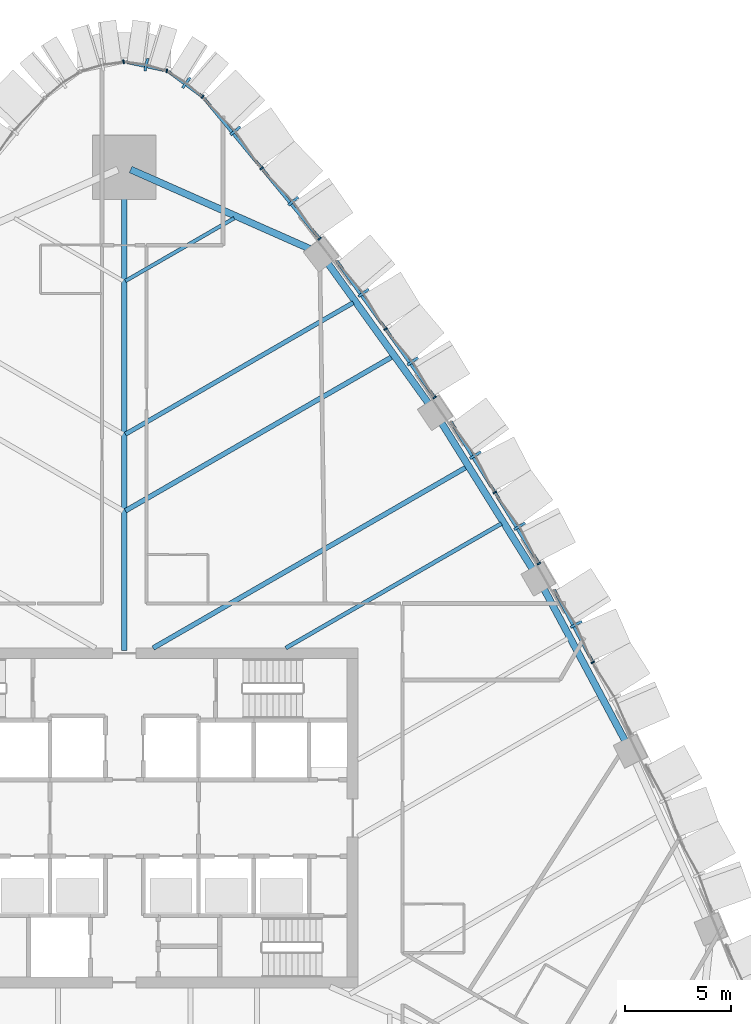
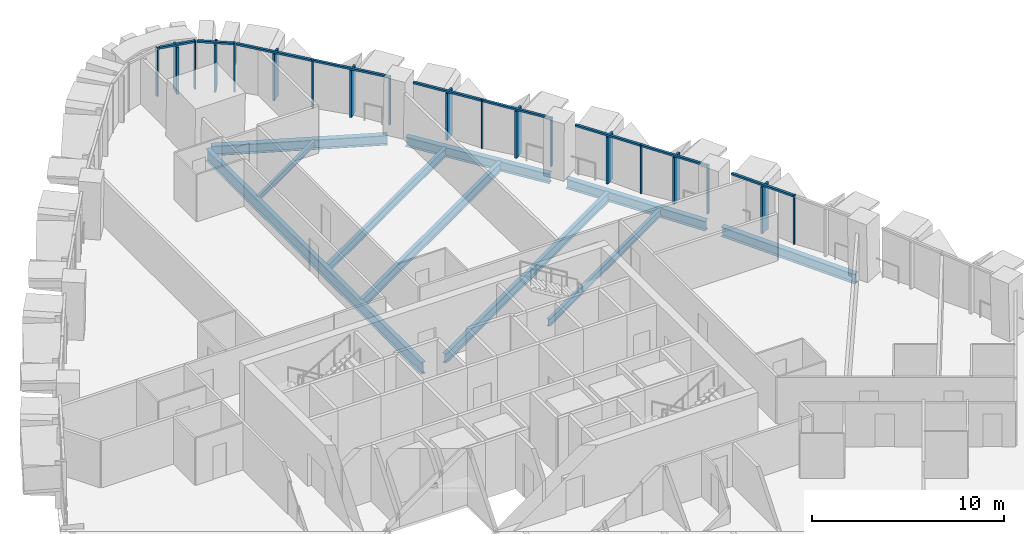
# One storey, part 7 of 23: 28 members, 10 beams, 7 elements without a shape of their own.
"""IFC4 building model written with IfcOpenShell, lengths in metres."""

from ifc_helpers import new_model, si_unit, direction, frame, origin, origin_2d, place, context, subcontext, project, spatial, rectangle, i_section, extrude, material, layer, layer_set, material_profile, profile_set, type_object, element, aggregate, save


model = new_model("IFC4")

# Units and contexts
model_context = context("Model", 3, precision=1e-05, world=origin(), true_north=direction((0.0, 1.0)))
body_context = subcontext(model_context, "Body", "Model", "MODEL_VIEW")
ifc_project = project(units=[si_unit("LENGTHUNIT", "METRE"), si_unit("AREAUNIT", "SQUARE_METRE"), si_unit("VOLUMEUNIT", "CUBIC_METRE"), si_unit("PLANEANGLEUNIT", "RADIAN"), si_unit("MASSUNIT", "GRAM", prefix="KILO")], contexts=[model_context])

# Site, building, storey
site_placement = place(None, origin())
site = spatial("IfcSite", under=ifc_project, at=site_placement, CompositionType="ELEMENT")
building_placement = place(site_placement, origin())
building = spatial("IfcBuilding", under=site, at=building_placement, Name="Sierra Prisma Convention Tower", CompositionType="ELEMENT")
storey_placement = place(building_placement, frame((0.0, 0.0, 70.199951171875)))
storey = spatial("IfcBuildingStorey", under=building, at=storey_placement, Name="L13", CompositionType="ELEMENT", Elevation=70.199951171875)

# Curtain wall, member
ifc_material_1 = material(Name="Aluminium and glass curtain wall", Category="aluminium")
ifc_layer = layer(ifc_material_1, 0.179931640625)
ifc_layer_set = layer_set([ifc_layer], Name="CW-2 Faceted crystal curtain wall")
curtain_wall_type = type_object("IfcCurtainWallType", Name="CW-2 Faceted crystal curtain wall", PredefinedType="NOTDEFINED", material=ifc_layer_set)
curtain_wall_1_placement = place(storey_placement, origin())
curtain_wall_1 = element("IfcCurtainWall", 1, at=curtain_wall_1_placement, inside=storey, type_object=curtain_wall_type, Name="CW-2 NE3 L13", PredefinedType="NOTDEFINED")
ifc_material_2 = material(Name="Aluminium 6063-T6 bronze anodised", Category="aluminium")
ifc_material_profile_1 = material_profile(ifc_material_2, rectangle(XDim=0.1201171875, YDim=0.60009765625, at=origin_2d()), Name="ALU RIDGE BLADE 120x600")
ifc_profile_set_1 = profile_set([ifc_material_profile_1], Name="Aluminium 6063-T6 bronze anodised")
member_type_1 = type_object("IfcMemberType", Name="CW hip bronze", PredefinedType="MULLION", material=ifc_profile_set_1)
member_1_placement = place(storey_placement, frame((21.285888671875, 9.114990234375, 0.0), z_axis=(0.0, 0.0, 1.0), x_axis=(-0.469903654338, 0.882717710052, 0.0)))
member_1 = element("IfcMember", 2, at=member_1_placement, type_object=member_type_1, Name="CW-2 ridge NE3.2", PredefinedType="MULLION", context=body_context, shape_type="SweptSolid", body=[
    extrude(rectangle(XDim=0.1201171875, YDim=0.60009765625, at=origin_2d()), origin(), (0.0, 0.0, 1.0), 2.97998046875),
])

# Curtain wall, members
curtain_wall_2_placement = place(storey_placement, origin())
curtain_wall_2 = element("IfcCurtainWall", 3, at=curtain_wall_2_placement, inside=storey, type_object=curtain_wall_type, Name="CW-2 NE4 L13", PredefinedType="NOTDEFINED")
member_2_placement = place(storey_placement, frame((18.6201171875, 13.737060546875, 0.0), z_axis=(0.0, 0.0, 1.0), x_axis=(-0.527544214712, 0.849527575494, 0.0)))
member_2 = element("IfcMember", 4, at=member_2_placement, type_object=member_type_1, Name="CW-2 ridge NE4.1", PredefinedType="MULLION", context=body_context, shape_type="SweptSolid", body=[
    extrude(rectangle(XDim=0.1201171875, YDim=0.60009765625, at=origin_2d()), origin(), (0.0, 0.0, 1.0), 2.97998046875),
])
member_3_placement = place(storey_placement, frame((16.540771484375, 17.085693359375, 0.0), z_axis=(0.0, 0.0, 1.0), x_axis=(-0.527544214712, 0.849527575494, 0.0)))
member_3 = element("IfcMember", 5, at=member_3_placement, type_object=member_type_1, Name="CW-2 ridge NE4.2", PredefinedType="MULLION", context=body_context, shape_type="SweptSolid", body=[
    extrude(rectangle(XDim=0.1201171875, YDim=0.60009765625, at=origin_2d()), origin(), (0.0, 0.0, 1.0), 2.97998046875),
])

curtain_wall_3_placement = place(storey_placement, origin())
curtain_wall_3 = element("IfcCurtainWall", 6, at=curtain_wall_3_placement, inside=storey, type_object=curtain_wall_type, Name="CW-2 NE5 L13", PredefinedType="NOTDEFINED")
member_4_placement = place(storey_placement, frame((13.585205078125, 21.505615234375, 0.0), z_axis=(0.0, 0.0, 1.0), x_axis=(-0.582850909334, 0.812579114603, 0.0)))
member_4 = element("IfcMember", 7, at=member_4_placement, type_object=member_type_1, Name="CW-2 ridge NE5.1", PredefinedType="MULLION", context=body_context, shape_type="SweptSolid", body=[
    extrude(rectangle(XDim=0.1201171875, YDim=0.60009765625, at=origin_2d()), origin(), (0.0, 0.0, 1.0), 2.97998046875),
])
member_5_placement = place(storey_placement, frame((11.27197265625, 24.730712890625, 0.0), z_axis=(0.0, 0.0, 1.0), x_axis=(-0.582850909334, 0.812579114603, 0.0)))
member_5 = element("IfcMember", 8, at=member_5_placement, type_object=member_type_1, Name="CW-2 ridge NE5.2", PredefinedType="MULLION", context=body_context, shape_type="SweptSolid", body=[
    extrude(rectangle(XDim=0.1201171875, YDim=0.60009765625, at=origin_2d()), origin(), (0.0, 0.0, 1.0), 2.97998046875),
])

curtain_wall_4_placement = place(storey_placement, origin())
curtain_wall_4 = element("IfcCurtainWall", 9, at=curtain_wall_4_placement, inside=storey, type_object=curtain_wall_type, Name="CW-2 NE6 L13", PredefinedType="NOTDEFINED")
member_6_placement = place(storey_placement, frame((7.960205078125, 29.048095703125, 0.0), z_axis=(0.0, 0.0, 1.0), x_axis=(-0.63557906031, 0.772035788092, 0.0)))
member_6 = element("IfcMember", 10, at=member_6_placement, type_object=member_type_1, Name="CW-2 ridge NE6.1", PredefinedType="MULLION", context=body_context, shape_type="SweptSolid", body=[
    extrude(rectangle(XDim=0.1201171875, YDim=0.60009765625, at=origin_2d()), origin(), (0.0, 0.0, 1.0), 2.97998046875),
])
member_7_placement = place(storey_placement, frame((5.23046875, 32.364013671875, 0.0), z_axis=(0.0, 0.0, 1.0), x_axis=(-0.63557906031, 0.772035788092, 0.0)))
member_7 = element("IfcMember", 11, at=member_7_placement, type_object=member_type_1, Name="CW-2 ridge NE6.2", PredefinedType="MULLION", context=body_context, shape_type="SweptSolid", body=[
    extrude(rectangle(XDim=0.1201171875, YDim=0.60009765625, at=origin_2d()), origin(), (0.0, 0.0, 1.0), 2.97998046875),
])

# Curtain wall, member
curtain_wall_5_placement = place(storey_placement, origin())
curtain_wall_5 = element("IfcCurtainWall", 12, at=curtain_wall_5_placement, inside=storey, type_object=curtain_wall_type, Name="CW-2 N1 L13", PredefinedType="NOTDEFINED")
member_8_placement = place(storey_placement, frame((2.922119140625, 34.624755859375, 0.0), z_axis=(0.0, 0.0, 1.0), x_axis=(-0.804132634463, 0.594449918994, 0.0)))
member_8 = element("IfcMember", 13, at=member_8_placement, type_object=member_type_1, Name="CW-2 ridge N1.1", PredefinedType="MULLION", context=body_context, shape_type="SweptSolid", body=[
    extrude(rectangle(XDim=0.1201171875, YDim=0.60009765625, at=origin_2d()), origin(), (0.0, 0.0, 1.0), 2.97998046875),
])

curtain_wall_6_placement = place(storey_placement, origin())
curtain_wall_6 = element("IfcCurtainWall", 14, at=curtain_wall_6_placement, inside=storey, type_object=curtain_wall_type, Name="CW-2 N2 L13", PredefinedType="NOTDEFINED")
member_9_placement = place(storey_placement, frame((1.03515625, 35.477294921875, 0.0), z_axis=(0.0, 0.0, 1.0), x_axis=(-0.977571241684, 0.210605003343, 0.0)))
member_9 = element("IfcMember", 15, at=member_9_placement, type_object=member_type_1, Name="CW-2 ridge N2.1", PredefinedType="MULLION", context=body_context, shape_type="SweptSolid", body=[
    extrude(rectangle(XDim=0.1201171875, YDim=0.60009765625, at=origin_2d()), origin(), (0.0, 0.0, 1.0), 2.97998046875),
])

# Member
ifc_material_3 = material(Name="Aluminium 6063-T6 bronze anodised", Category="aluminium")
ifc_material_profile_2 = material_profile(ifc_material_3, rectangle(XDim=0.179931640625, YDim=0.070068359375, at=origin_2d()), Name="ALU MULLION 70x180")
ifc_profile_set_2 = profile_set([ifc_material_profile_2], Name="Aluminium 6063-T6 bronze anodised")
member_type_2 = type_object("IfcMemberType", Name="CW mullion bronze", PredefinedType="MULLION", material=ifc_profile_set_2)
member_10_placement = place(storey_placement, frame((22.068603515625, 7.32373046875, 0.0), z_axis=(0.0, 0.0, 1.0), x_axis=(-0.882717710052, -0.469903654338, 0.0)))
member_10 = element("IfcMember", 16, at=member_10_placement, type_object=member_type_2, Name="CW-1 mullion NE3.2", PredefinedType="MULLION", context=body_context, shape_type="SweptSolid", body=[
    extrude(rectangle(XDim=0.179931640625, YDim=0.070068359375, at=origin_2d()), origin(), (0.0, 0.0, 1.0), 3.10009765625),
])

member_11_placement = place(storey_placement, frame((19.530517578125, 11.982421875, 0.0), z_axis=(0.0, 0.0, 1.0), x_axis=(-0.849527575494, -0.527544214712, 0.0)))
member_11 = element("IfcMember", 17, at=member_11_placement, type_object=member_type_2, Name="CW-1 mullion NE4.1", PredefinedType="MULLION", context=body_context, shape_type="SweptSolid", body=[
    extrude(rectangle(XDim=0.179931640625, YDim=0.070068359375, at=origin_2d()), origin(), (0.0, 0.0, 1.0), 3.10009765625),
])

member_12_placement = place(storey_placement, frame((17.450927734375, 15.3310546875, 0.0), z_axis=(0.0, 0.0, 1.0), x_axis=(-0.849527575494, -0.527544214712, 0.0)))
member_12 = element("IfcMember", 18, at=member_12_placement, type_object=member_type_2, Name="CW-1 mullion NE4.2", PredefinedType="MULLION", context=body_context, shape_type="SweptSolid", body=[
    extrude(rectangle(XDim=0.179931640625, YDim=0.070068359375, at=origin_2d()), origin(), (0.0, 0.0, 1.0), 3.10009765625),
])

member_13_placement = place(storey_placement, frame((14.6171875, 19.8037109375, 0.0), z_axis=(0.0, 0.0, 1.0), x_axis=(-0.812579114603, -0.582850909334, 0.0)))
member_13 = element("IfcMember", 19, at=member_13_placement, type_object=member_type_2, Name="CW-1 mullion NE5.1", PredefinedType="MULLION", context=body_context, shape_type="SweptSolid", body=[
    extrude(rectangle(XDim=0.179931640625, YDim=0.070068359375, at=origin_2d()), origin(), (0.0, 0.0, 1.0), 3.10009765625),
])

member_14_placement = place(storey_placement, frame((12.303955078125, 23.02880859375, 0.0), z_axis=(0.0, 0.0, 1.0), x_axis=(-0.812579114603, -0.582850909334, 0.0)))
member_14 = element("IfcMember", 20, at=member_14_placement, type_object=member_type_2, Name="CW-1 mullion NE5.2", PredefinedType="MULLION", context=body_context, shape_type="SweptSolid", body=[
    extrude(rectangle(XDim=0.179931640625, YDim=0.070068359375, at=origin_2d()), origin(), (0.0, 0.0, 1.0), 3.10009765625),
])

member_15_placement = place(storey_placement, frame((9.19677734375, 27.284423828125, 0.0), z_axis=(0.0, 0.0, 1.0), x_axis=(-0.772035788092, -0.63557906031, 0.0)))
member_15 = element("IfcMember", 21, at=member_15_placement, type_object=member_type_2, Name="CW-1 mullion NE6.1", PredefinedType="MULLION", context=body_context, shape_type="SweptSolid", body=[
    extrude(rectangle(XDim=0.179931640625, YDim=0.070068359375, at=origin_2d()), origin(), (0.0, 0.0, 1.0), 3.10009765625),
])

member_16_placement = place(storey_placement, frame((6.467041015625, 30.600341796875, 0.0), z_axis=(0.0, 0.0, 1.0), x_axis=(-0.772035788092, -0.63557906031, 0.0)))
member_16 = element("IfcMember", 22, at=member_16_placement, type_object=member_type_2, Name="CW-1 mullion NE6.2", PredefinedType="MULLION", context=body_context, shape_type="SweptSolid", body=[
    extrude(rectangle(XDim=0.179931640625, YDim=0.070068359375, at=origin_2d()), origin(), (0.0, 0.0, 1.0), 3.10009765625),
])

member_17_placement = place(storey_placement, frame((3.686767578125, 33.96435546875, 0.0), z_axis=(0.0, 0.0, 1.0), x_axis=(-0.594449918994, -0.804132634463, 0.0)))
member_17 = element("IfcMember", 23, at=member_17_placement, type_object=member_type_2, Name="CW-1 mullion N1.1", PredefinedType="MULLION", context=body_context, shape_type="SweptSolid", body=[
    extrude(rectangle(XDim=0.179931640625, YDim=0.070068359375, at=origin_2d()), origin(), (0.0, 0.0, 1.0), 3.10009765625),
])

member_18_placement = place(storey_placement, frame((2.00390625, 35.190185546875, 0.0), z_axis=(0.0, 0.0, 1.0), x_axis=(-0.210605003343, -0.977571241684, 0.0)))
member_18 = element("IfcMember", 24, at=member_18_placement, type_object=member_type_2, Name="CW-1 mullion N2.1", PredefinedType="MULLION", context=body_context, shape_type="SweptSolid", body=[
    extrude(rectangle(XDim=0.179931640625, YDim=0.070068359375, at=origin_2d()), origin(), (0.0, 0.0, 1.0), 3.10009765625),
])

# Curtain wall, member
curtain_wall_7_placement = place(storey_placement, origin())
curtain_wall_7 = element("IfcCurtainWall", 25, at=curtain_wall_7_placement, inside=storey, type_object=curtain_wall_type, Name="CW-2 N3 L13", PredefinedType="NOTDEFINED")
member_19_placement = place(storey_placement, frame((-0.0341796875, 35.61474609375, 0.0), z_axis=(0.0, 0.0, 1.0), x_axis=(0.210605003343, -0.977571241684, 0.0)))
member_19 = element("IfcMember", 26, at=member_19_placement, type_object=member_type_2, Name="CW-1 mullion N3.1", PredefinedType="MULLION", context=body_context, shape_type="SweptSolid", body=[
    extrude(rectangle(XDim=0.179931640625, YDim=0.070068359375, at=origin_2d()), origin(), (0.0, 0.0, 1.0), 3.10009765625),
])
aggregate(curtain_wall_7, [member_19])

# Member
ifc_material_4 = material(Name="Aluminium 6063-T6 bronze anodised", Category="aluminium")
ifc_material_profile_3 = material_profile(ifc_material_4, rectangle(XDim=0.139892578125, YDim=0.1201171875, at=origin_2d()), Name="ALU TRANSOM 120x140")
ifc_profile_set_3 = profile_set([ifc_material_profile_3], Name="Aluminium 6063-T6 bronze anodised")
member_type_3 = type_object("IfcMemberType", Name="CW transom bronze", PredefinedType="USERDEFINED", material=ifc_profile_set_3)
member_20_placement = place(storey_placement, frame((22.05224609375, 7.354736328125, 3.0400390625), z_axis=(-0.469899578954, 0.88271987952, 0.0), x_axis=(-0.88271987952, -0.469899578954, 0.0)))
member_20 = element("IfcMember", 27, at=member_20_placement, type_object=member_type_3, Name="CW-1 transom NE3.2", ObjectType="TRANSOM", PredefinedType="USERDEFINED", context=body_context, shape_type="SweptSolid", body=[
    extrude(rectangle(XDim=0.139892578125, YDim=0.1201171875, at=origin_2d()), origin(), (0.0, 0.0, 1.0), 3.828125),
])

aggregate(curtain_wall_1, [member_10, member_20, member_1])

member_21_placement = place(storey_placement, frame((19.511962890625, 12.01220703125, 3.0400390625), z_axis=(-0.527548073674, 0.849525179122, 0.0), x_axis=(-0.849525179122, -0.527548073674, 0.0)))
member_21 = element("IfcMember", 28, at=member_21_placement, type_object=member_type_3, Name="CW-1 transom NE4.1", ObjectType="TRANSOM", PredefinedType="USERDEFINED", context=body_context, shape_type="SweptSolid", body=[
    extrude(rectangle(XDim=0.139892578125, YDim=0.1201171875, at=origin_2d()), origin(), (0.0, 0.0, 1.0), 3.87158203125),
])

member_22_placement = place(storey_placement, frame((17.4326171875, 15.36083984375, 3.0400390625), z_axis=(-0.52759358034, 0.849496918172, 0.0), x_axis=(-0.849496918172, -0.52759358034, 0.0)))
member_22 = element("IfcMember", 29, at=member_22_placement, type_object=member_type_3, Name="CW-1 transom NE4.2", ObjectType="TRANSOM", PredefinedType="USERDEFINED", context=body_context, shape_type="SweptSolid", body=[
    extrude(rectangle(XDim=0.139892578125, YDim=0.1201171875, at=origin_2d()), origin(), (0.0, 0.0, 1.0), 3.871826171875),
])

aggregate(curtain_wall_2, [member_11, member_12, member_21, member_2, member_22, member_3])

member_23_placement = place(storey_placement, frame((14.596923828125, 19.832275390625, 3.0400390625), z_axis=(-0.582871924247, 0.812564040506, 0.0), x_axis=(-0.812564040506, -0.582871924247, 0.0)))
member_23 = element("IfcMember", 30, at=member_23_placement, type_object=member_type_3, Name="CW-1 transom NE5.1", ObjectType="TRANSOM", PredefinedType="USERDEFINED", context=body_context, shape_type="SweptSolid", body=[
    extrude(rectangle(XDim=0.139892578125, YDim=0.1201171875, at=origin_2d()), origin(), (0.0, 0.0, 1.0), 3.898681640625),
])

member_24_placement = place(storey_placement, frame((12.28369140625, 23.05712890625, 3.0400390625), z_axis=(-0.582842266983, 0.812585313563, 0.0), x_axis=(-0.812585313563, -0.582842266983, 0.0)))
member_24 = element("IfcMember", 31, at=member_24_placement, type_object=member_type_3, Name="CW-1 transom NE5.2", ObjectType="TRANSOM", PredefinedType="USERDEFINED", context=body_context, shape_type="SweptSolid", body=[
    extrude(rectangle(XDim=0.139892578125, YDim=0.1201171875, at=origin_2d()), origin(), (0.0, 0.0, 1.0), 3.89892578125),
])

aggregate(curtain_wall_3, [member_13, member_14, member_23, member_4, member_24, member_5])

member_25_placement = place(storey_placement, frame((9.174560546875, 27.3115234375, 3.0400390625), z_axis=(-0.635563437741, 0.772048649119, 0.0), x_axis=(-0.772048649119, -0.635563437741, 0.0)))
member_25 = element("IfcMember", 32, at=member_25_placement, type_object=member_type_3, Name="CW-1 transom NE6.1", ObjectType="TRANSOM", PredefinedType="USERDEFINED", context=body_context, shape_type="SweptSolid", body=[
    extrude(rectangle(XDim=0.139892578125, YDim=0.1201171875, at=origin_2d()), origin(), (0.0, 0.0, 1.0), 4.22509765625),
])

member_26_placement = place(storey_placement, frame((6.44482421875, 30.62744140625, 3.0400390625), z_axis=(-0.635597878373, 0.772020295722, 0.0), x_axis=(-0.772020295722, -0.635597878373, 0.0)))
member_26 = element("IfcMember", 33, at=member_26_placement, type_object=member_type_3, Name="CW-1 transom NE6.2", ObjectType="TRANSOM", PredefinedType="USERDEFINED", context=body_context, shape_type="SweptSolid", body=[
    extrude(rectangle(XDim=0.139892578125, YDim=0.1201171875, at=origin_2d()), origin(), (0.0, 0.0, 1.0), 4.225341796875),
])

aggregate(curtain_wall_4, [member_15, member_16, member_25, member_6, member_26, member_7])

member_27_placement = place(storey_placement, frame((3.658447265625, 33.985107421875, 3.0400390625), z_axis=(-0.804108310172, 0.594482821882, 0.0), x_axis=(-0.594482821882, -0.804108310172, 0.0)))
member_27 = element("IfcMember", 34, at=member_27_placement, type_object=member_type_3, Name="CW-1 transom N1.1", ObjectType="TRANSOM", PredefinedType="USERDEFINED", context=body_context, shape_type="SweptSolid", body=[
    extrude(rectangle(XDim=0.139892578125, YDim=0.1201171875, at=origin_2d()), origin(), (0.0, 0.0, 1.0), 1.945068359375),
])

aggregate(curtain_wall_5, [member_17, member_27, member_8])

member_28_placement = place(storey_placement, frame((1.9697265625, 35.19775390625, 3.0400390625), z_axis=(-0.977592512461, 0.210506245942, 0.0), x_axis=(-0.210506245942, -0.977592512461, 0.0)))
member_28 = element("IfcMember", 35, at=member_28_placement, type_object=member_type_3, Name="CW-1 transom N2.1", ObjectType="TRANSOM", PredefinedType="USERDEFINED", context=body_context, shape_type="SweptSolid", body=[
    extrude(rectangle(XDim=0.139892578125, YDim=0.1201171875, at=origin_2d()), origin(), (0.0, 0.0, 1.0), 1.945068359375),
])

aggregate(curtain_wall_6, [member_18, member_28, member_9])

# Beams
ifc_material_5 = material(Name="Steel ASTM A992 Gr 50", Category="steel")
ifc_material_profile_4 = material_profile(ifc_material_5, i_section(OverallWidth=0.172119140625, OverallDepth=0.35791015625, WebThickness=0.0078125, FlangeThickness=0.01318359375, at=origin_2d()), Name="W360x57")
ifc_profile_set_4 = profile_set([ifc_material_profile_4], Name="Steel ASTM A992 Gr 50")
beam_type_1 = type_object("IfcBeamType", Name="Floor joist W360x57", PredefinedType="JOIST", material=ifc_profile_set_4)
beam_1_placement = place(storey_placement, frame((5.17578125, 28.24755859375, -0.328857421875), z_axis=(-0.866017195286, -0.500014217266, 0.0), x_axis=(0.500014217266, -0.866017195286, 0.0)))
element("IfcBeam", 36, at=beam_1_placement, inside=storey, type_object=beam_type_1, Name="Floor joist L13 NE16", PredefinedType="JOIST", context=body_context, shape_type="SweptSolid", body=[
    extrude(i_section(OverallWidth=0.172119140625, OverallDepth=0.35791015625, WebThickness=0.0078125, FlangeThickness=0.01318359375, at=origin_2d()), origin(), (0.0, 0.0, 1.0), 5.915283203125),
])
ifc_material_6 = material(Name="Steel ASTM A992 Gr 50", Category="steel")
ifc_material_profile_5 = material_profile(ifc_material_6, i_section(OverallWidth=0.18994140625, OverallDepth=0.45703125, WebThickness=0.009033203125, FlangeThickness=0.014404296875, at=origin_2d()), Name="W460x74")
ifc_profile_set_5 = profile_set([ifc_material_profile_5], Name="Steel ASTM A992 Gr 50")
beam_type_2 = type_object("IfcBeamType", Name="Floor joist W460x74", PredefinedType="JOIST", material=ifc_profile_set_5)
beam_2_placement = place(storey_placement, frame((17.761962890625, 13.86328125, -0.37841796875), z_axis=(-0.866025756702, -0.499999388729, 0.0), x_axis=(0.499999388729, -0.866025756702, 0.0)))
element("IfcBeam", 37, at=beam_2_placement, inside=storey, type_object=beam_type_2, Name="Floor joist L13 NE10", PredefinedType="JOIST", context=body_context, shape_type="SweptSolid", body=[
    extrude(i_section(OverallWidth=0.18994140625, OverallDepth=0.45703125, WebThickness=0.009033203125, FlangeThickness=0.014404296875, at=origin_2d()), origin(), (0.0, 0.0, 1.0), 11.7265625),
])
ifc_material_7 = material(Name="Steel ASTM A992 Gr 50", Category="steel")
ifc_material_profile_6 = material_profile(ifc_material_7, i_section(OverallWidth=0.208984375, OverallDepth=0.532958984375, WebThickness=0.01025390625, FlangeThickness=0.015625, at=origin_2d()), Name="W530x92")
ifc_profile_set_6 = profile_set([ifc_material_profile_6], Name="Steel ASTM A992 Gr 50")
beam_type_3 = type_object("IfcBeamType", Name="Floor joist W530x92", PredefinedType="JOIST", material=ifc_profile_set_6)
beam_3_placement = place(storey_placement, frame((10.783935546875, 24.268310546875, -0.41650390625), z_axis=(-0.866032687493, -0.499987384034, 0.0), x_axis=(0.499987384034, -0.866032687493, 0.0)))
element("IfcBeam", 38, at=beam_3_placement, inside=storey, type_object=beam_type_3, Name="Floor joist L13 NE14", PredefinedType="JOIST", context=body_context, shape_type="SweptSolid", body=[
    extrude(i_section(OverallWidth=0.208984375, OverallDepth=0.532958984375, WebThickness=0.01025390625, FlangeThickness=0.015625, at=origin_2d()), origin(), (0.0, 0.0, 1.0), 12.390869140625),
])
ifc_material_8 = material(Name="Steel ASTM A992 Gr 50", Category="steel")
ifc_material_profile_7 = material_profile(ifc_material_8, i_section(OverallWidth=0.22802734375, OverallDepth=0.60302734375, WebThickness=0.010498046875, FlangeThickness=0.014892578125, at=origin_2d()), Name="W610x101")
ifc_profile_set_7 = profile_set([ifc_material_profile_7], Name="Steel ASTM A992 Gr 50")
beam_type_4 = type_object("IfcBeamType", Name="Floor joist W610x101", PredefinedType="JOIST", material=ifc_profile_set_7)
beam_4_placement = place(storey_placement, frame((16.110107421875, 16.51806640625, -0.451416015625), z_axis=(-0.866028081176, -0.499995362593, 0.0), x_axis=(0.499995362593, -0.866028081176, 0.0)))
element("IfcBeam", 39, at=beam_4_placement, inside=storey, type_object=beam_type_4, Name="Floor joist L13 NE11", PredefinedType="JOIST", context=body_context, shape_type="SweptSolid", body=[
    extrude(i_section(OverallWidth=0.22802734375, OverallDepth=0.60302734375, WebThickness=0.010498046875, FlangeThickness=0.014892578125, at=origin_2d()), origin(), (0.0, 0.0, 1.0), 17.036376953125),
])
beam_5_placement = place(storey_placement, frame((12.61572265625, 21.717529296875, -0.451416015625), z_axis=(-0.86603059841, -0.499991002537, 0.0), x_axis=(0.499991002537, -0.86603059841, 0.0)))
element("IfcBeam", 40, at=beam_5_placement, inside=storey, type_object=beam_type_4, Name="Floor joist L13 NE13", PredefinedType="JOIST", context=body_context, shape_type="SweptSolid", body=[
    extrude(i_section(OverallWidth=0.22802734375, OverallDepth=0.60302734375, WebThickness=0.010498046875, FlangeThickness=0.014892578125, at=origin_2d()), origin(), (0.0, 0.0, 1.0), 14.506103515625),
])
ifc_material_9 = material(Name="Steel ASTM A992 Gr 50", Category="steel")
ifc_material_profile_8 = material_profile(ifc_material_9, i_section(OverallWidth=0.264892578125, OverallDepth=0.7529296875, WebThickness=0.01318359375, FlangeThickness=0.01708984375, at=origin_2d()), Name="W760x147")
ifc_profile_set_8 = profile_set([ifc_material_profile_8], Name="Steel ASTM A992 Gr 50")
beam_type_5 = type_object("IfcBeamType", Name="Radial girder W760x147", PredefinedType="BEAM", material=ifc_profile_set_8)
beam_6_placement = place(storey_placement, frame((0.0, 30.3720703125, -0.5263671875), z_axis=(0.0, -1.0, 0.0), x_axis=(1.0, 0.0, 0.0)))
element("IfcBeam", 41, at=beam_6_placement, inside=storey, type_object=beam_type_5, Name="Radial girder L13 N", PredefinedType="BEAM", context=body_context, shape_type="SweptSolid", body=[
    extrude(i_section(OverallWidth=0.264892578125, OverallDepth=0.7529296875, WebThickness=0.01318359375, FlangeThickness=0.01708984375, at=origin_2d()), origin(), (0.0, 0.0, 1.0), 22.4921875),
])
ifc_material_10 = material(Name="Steel ASTM A992 Gr 50", Category="steel")
ifc_material_profile_9 = material_profile(ifc_material_10, i_section(OverallWidth=0.324951171875, OverallDepth=0.615966796875, WebThickness=0.013916015625, FlangeThickness=0.021484375, at=origin_2d()), Name="W610x174")
ifc_profile_set_9 = profile_set([ifc_material_profile_9], Name="Steel ASTM A992 Gr 50")
beam_type_6 = type_object("IfcBeamType", Name="Spandrel beam W610x174", PredefinedType="BEAM", material=ifc_profile_set_9)
for number, where, z_axis, x_axis, name in (
    (42, (23.625, 3.56298828125, -0.4580078125), (-0.471101083733, 0.882079230515, 0.0), (-0.882079230515, -0.471101083733, 0.0), "Spandrel L13-09"),
    (43, (19.2578125, 11.6728515625, -0.4580078125), (-0.528364928485, 0.849017374585, 0.0), (-0.849017374585, -0.528364928485, 0.0), "Spandrel L13-10"),
    (44, (14.3642578125, 19.476318359375, -0.4580078125), (-0.583335437208, 0.812231351093, 0.0), (-0.812231351093, -0.583335437208, 0.0), "Spandrel L13-11"),
):
    element("IfcBeam", number, at=place(storey_placement, frame(where, z_axis=z_axis, x_axis=x_axis)), inside=storey, type_object=beam_type_6, Name=name, PredefinedType="BEAM", context=body_context, shape_type="SweptSolid", body=[
        extrude(i_section(OverallWidth=0.324951171875, OverallDepth=0.615966796875, WebThickness=0.013916015625, FlangeThickness=0.021484375, at=origin_2d()), origin(), (0.0, 0.0, 1.0), 8.251220703125),
    ])
beam_7_placement = place(storey_placement, frame((8.756103515625, 26.796142578125, -0.4580078125), z_axis=(-0.914415845378, 0.404776063672, 0.0), x_axis=(-0.404776063672, -0.914415845378, 0.0)))
element("IfcBeam", 45, at=beam_7_placement, inside=storey, type_object=beam_type_6, Name="Spandrel L13-12", PredefinedType="BEAM", context=body_context, shape_type="SweptSolid", body=[
    extrude(i_section(OverallWidth=0.324951171875, OverallDepth=0.615966796875, WebThickness=0.013916015625, FlangeThickness=0.021484375, at=origin_2d()), origin(), (0.0, 0.0, 1.0), 9.24755859375),
])

save(model, "model.ifc")
